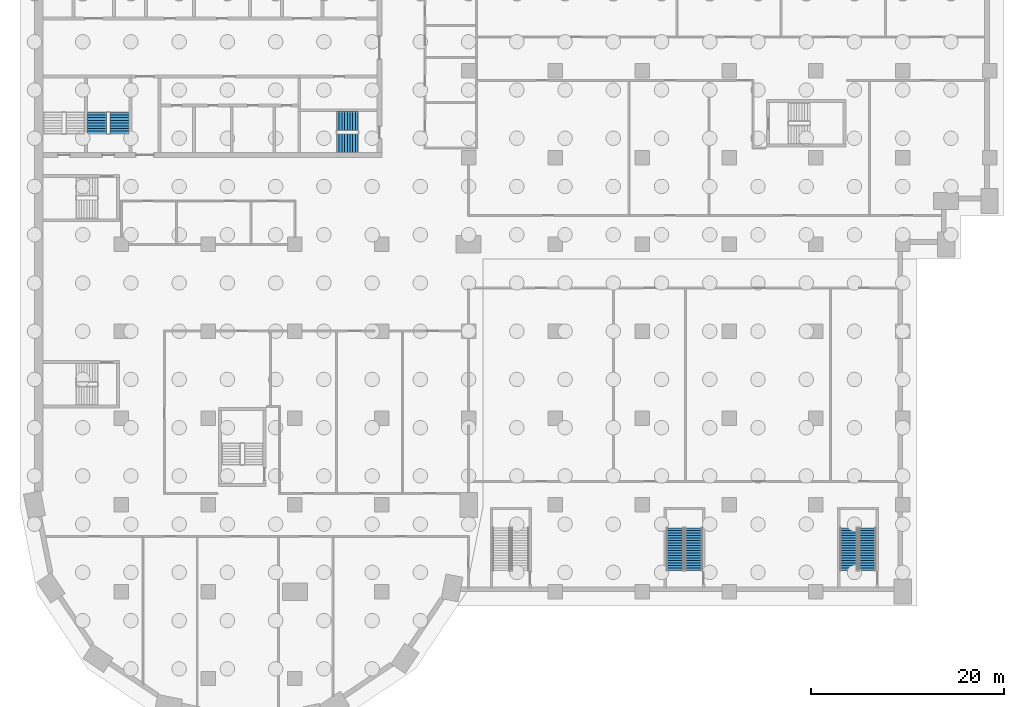
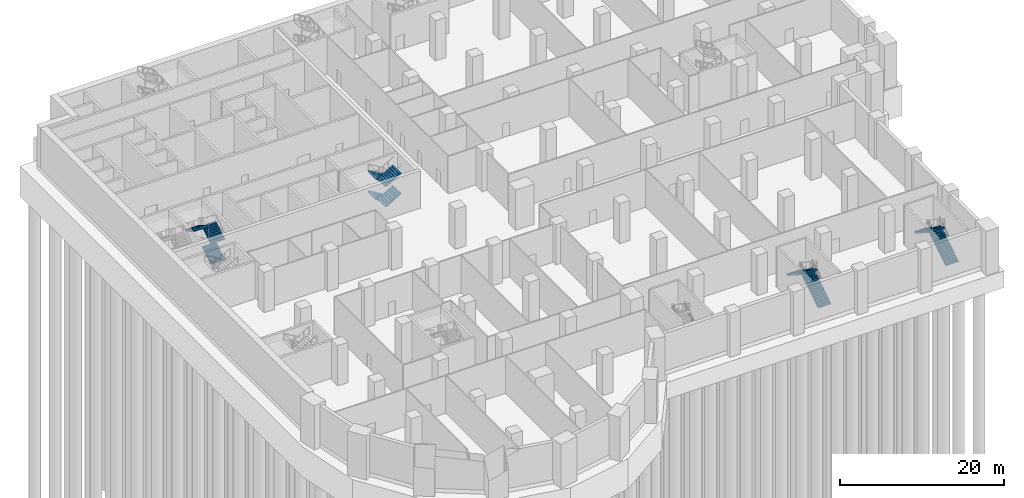
# One storey, part 13 of 25: 11 stair flights, 4 elements without a shape of their own.
"""IFC4 building model written with IfcOpenShell, lengths in metres."""

from ifc_helpers import new_model, si_unit, direction, frame, origin, place, context, subcontext, project, spatial, polyline, outline, extrude, material, type_object, element, aggregate, save


model = new_model("IFC4")

# Units and contexts
model_context = context("Model", 3, precision=1e-05, world=origin(), true_north=direction((0.0, 1.0)))
body_context = subcontext(model_context, "Body", "Model", "MODEL_VIEW")
ifc_project = project(units=[si_unit("LENGTHUNIT", "METRE"), si_unit("AREAUNIT", "SQUARE_METRE"), si_unit("VOLUMEUNIT", "CUBIC_METRE"), si_unit("PLANEANGLEUNIT", "RADIAN"), si_unit("MASSUNIT", "GRAM", prefix="KILO")], contexts=[model_context])

# Site, building, storey
site_placement = place(None, origin())
site = spatial("IfcSite", under=ifc_project, at=site_placement, CompositionType="ELEMENT")
building_placement = place(site_placement, origin())
building = spatial("IfcBuilding", under=site, at=building_placement, Name="Hunhe Ridgeline Campus", CompositionType="ELEMENT")
storey_placement = place(building_placement, frame((0.0, 0.0, -6.0)))
storey = spatial("IfcBuildingStorey", under=building, at=storey_placement, Name="B1", CompositionType="ELEMENT", Elevation=-6.0)

# Stair, stair flights
ifc_material = material(Name="Concrete C40", Category="concrete")
stair_type_1 = type_object("IfcStairType", Name="Podium exit stair 1800", PredefinedType="HALF_TURN_STAIR", material=ifc_material)
stair_1_placement = place(storey_placement, origin())
stair_1 = element("IfcStair", 1, at=stair_1_placement, inside=storey, type_object=stair_type_1, Name="B1 podium stair PS2", PredefinedType="HALF_TURN_STAIR")
stair_flight_type_1 = type_object("IfcStairFlightType", Name="Podium stair flight 1800", PredefinedType="STRAIGHT", material=ifc_material)
stair_flight_1_placement = place(storey_placement, frame((68.35009765625, 20.199951171875, 0.0), z_axis=(0.0, 0.0, 1.0), x_axis=(0.0, 1.0, 0.0)))
stair_flight_1 = element("IfcStairFlight", 2, at=stair_flight_1_placement, type_object=stair_flight_type_1, Name="PS2 flight 1", NumberOfRisers=18, NumberOfTreads=17, PredefinedType="STRAIGHT", RiserHeight=0.166666667, TreadLength=0.26, context=body_context, shape_type="SweptSolid", body=[
    extrude(outline(polyline([(0.0, 0.0), (0.0, 0.166748046875), (0.260009765625, 0.166748046875), (0.260009765625, 0.333251953125), (0.52001953125, 0.333251953125), (0.52001953125, 0.5), (0.780029296875, 0.5), (0.780029296875, 0.666748046875), (1.0400390625, 0.666748046875), (1.0400390625, 0.833251953125), (1.300048828125, 0.833251953125), (1.300048828125, 1.0), (1.56005859375, 1.0), (1.56005859375, 1.166748046875), (1.820068359375, 1.166748046875), (1.820068359375, 1.333251953125), (2.080078125, 1.333251953125), (2.080078125, 1.5), (2.340087890625, 1.5), (2.340087890625, 1.666748046875), (2.60009765625, 1.666748046875), (2.60009765625, 1.833251953125), (2.860107421875, 1.833251953125), (2.860107421875, 2.0), (3.1201171875, 2.0), (3.1201171875, 2.166748046875), (3.3798828125, 2.166748046875), (3.3798828125, 2.333251953125), (3.639892578125, 2.333251953125), (3.639892578125, 2.5), (3.89990234375, 2.5), (3.89990234375, 2.666748046875), (4.159912109375, 2.666748046875), (4.159912109375, 2.833251953125), (4.419921875, 2.833251953125), (4.419921875, 3.0), (4.419921875, 2.6552734375), (0.27783203125, 0.0), (0.0, 0.0)])), frame((0.0, 0.89990234375, 0.0), z_axis=(0.0, -1.0, 0.0), x_axis=(1.0, 0.0, 0.0)), (0.0, 0.0, 1.0), 1.800048828125),
])
stair_flight_2_placement = place(storey_placement, frame((66.39990234375, 24.6201171875, 3.0), z_axis=(0.0, 0.0, 1.0), x_axis=(0.0, -1.0, 0.0)))
stair_flight_2 = element("IfcStairFlight", 3, at=stair_flight_2_placement, type_object=stair_flight_type_1, Name="PS2 flight 2", NumberOfRisers=18, NumberOfTreads=17, PredefinedType="STRAIGHT", RiserHeight=0.166666667, TreadLength=0.26, context=body_context, shape_type="SweptSolid", body=[
    extrude(outline(polyline([(0.0, 0.0), (0.0, 0.166748046875), (0.260009765625, 0.166748046875), (0.260009765625, 0.333251953125), (0.52001953125, 0.333251953125), (0.52001953125, 0.5), (0.780029296875, 0.5), (0.780029296875, 0.666748046875), (1.0400390625, 0.666748046875), (1.0400390625, 0.833251953125), (1.300048828125, 0.833251953125), (1.300048828125, 1.0), (1.56005859375, 1.0), (1.56005859375, 1.166748046875), (1.820068359375, 1.166748046875), (1.820068359375, 1.333251953125), (2.080078125, 1.333251953125), (2.080078125, 1.5), (2.340087890625, 1.5), (2.340087890625, 1.666748046875), (2.60009765625, 1.666748046875), (2.60009765625, 1.833251953125), (2.860107421875, 1.833251953125), (2.860107421875, 2.0), (3.1201171875, 2.0), (3.1201171875, 2.166748046875), (3.3798828125, 2.166748046875), (3.3798828125, 2.333251953125), (3.639892578125, 2.333251953125), (3.639892578125, 2.5), (3.89990234375, 2.5), (3.89990234375, 2.666748046875), (4.159912109375, 2.666748046875), (4.159912109375, 2.833251953125), (4.419921875, 2.833251953125), (4.419921875, 3.0), (4.419921875, 2.6552734375), (0.27783203125, 0.0), (0.0, 0.0)])), frame((0.0, 0.89990234375, 0.0), z_axis=(0.0, -1.0, 0.0), x_axis=(1.0, 0.0, 0.0)), (0.0, 0.0, 1.0), 1.800048828125),
])
aggregate(stair_1, [stair_flight_1, stair_flight_2])

stair_2_placement = place(storey_placement, origin())
stair_2 = element("IfcStair", 4, at=stair_2_placement, inside=storey, type_object=stair_type_1, Name="B1 podium stair PS3", PredefinedType="HALF_TURN_STAIR")
stair_flight_3_placement = place(storey_placement, frame((86.35009765625, 20.199951171875, 0.0), z_axis=(0.0, 0.0, 1.0), x_axis=(0.0, 1.0, 0.0)))
stair_flight_3 = element("IfcStairFlight", 5, at=stair_flight_3_placement, type_object=stair_flight_type_1, Name="PS3 flight 1", NumberOfRisers=18, NumberOfTreads=17, PredefinedType="STRAIGHT", RiserHeight=0.166666667, TreadLength=0.26, context=body_context, shape_type="SweptSolid", body=[
    extrude(outline(polyline([(0.0, 0.0), (0.0, 0.166748046875), (0.260009765625, 0.166748046875), (0.260009765625, 0.333251953125), (0.52001953125, 0.333251953125), (0.52001953125, 0.5), (0.780029296875, 0.5), (0.780029296875, 0.666748046875), (1.0400390625, 0.666748046875), (1.0400390625, 0.833251953125), (1.300048828125, 0.833251953125), (1.300048828125, 1.0), (1.56005859375, 1.0), (1.56005859375, 1.166748046875), (1.820068359375, 1.166748046875), (1.820068359375, 1.333251953125), (2.080078125, 1.333251953125), (2.080078125, 1.5), (2.340087890625, 1.5), (2.340087890625, 1.666748046875), (2.60009765625, 1.666748046875), (2.60009765625, 1.833251953125), (2.860107421875, 1.833251953125), (2.860107421875, 2.0), (3.1201171875, 2.0), (3.1201171875, 2.166748046875), (3.3798828125, 2.166748046875), (3.3798828125, 2.333251953125), (3.639892578125, 2.333251953125), (3.639892578125, 2.5), (3.89990234375, 2.5), (3.89990234375, 2.666748046875), (4.159912109375, 2.666748046875), (4.159912109375, 2.833251953125), (4.419921875, 2.833251953125), (4.419921875, 3.0), (4.419921875, 2.6552734375), (0.27783203125, 0.0), (0.0, 0.0)])), frame((0.0, 0.89990234375, 0.0), z_axis=(0.0, -1.0, 0.0), x_axis=(1.0, 0.0, 0.0)), (0.0, 0.0, 1.0), 1.800048828125),
])
stair_flight_4_placement = place(storey_placement, frame((84.39990234375, 24.6201171875, 3.0), z_axis=(0.0, 0.0, 1.0), x_axis=(0.0, -1.0, 0.0)))
stair_flight_4 = element("IfcStairFlight", 6, at=stair_flight_4_placement, type_object=stair_flight_type_1, Name="PS3 flight 2", NumberOfRisers=18, NumberOfTreads=17, PredefinedType="STRAIGHT", RiserHeight=0.166666667, TreadLength=0.26, context=body_context, shape_type="SweptSolid", body=[
    extrude(outline(polyline([(0.0, 0.0), (0.0, 0.166748046875), (0.260009765625, 0.166748046875), (0.260009765625, 0.333251953125), (0.52001953125, 0.333251953125), (0.52001953125, 0.5), (0.780029296875, 0.5), (0.780029296875, 0.666748046875), (1.0400390625, 0.666748046875), (1.0400390625, 0.833251953125), (1.300048828125, 0.833251953125), (1.300048828125, 1.0), (1.56005859375, 1.0), (1.56005859375, 1.166748046875), (1.820068359375, 1.166748046875), (1.820068359375, 1.333251953125), (2.080078125, 1.333251953125), (2.080078125, 1.5), (2.340087890625, 1.5), (2.340087890625, 1.666748046875), (2.60009765625, 1.666748046875), (2.60009765625, 1.833251953125), (2.860107421875, 1.833251953125), (2.860107421875, 2.0), (3.1201171875, 2.0), (3.1201171875, 2.166748046875), (3.3798828125, 2.166748046875), (3.3798828125, 2.333251953125), (3.639892578125, 2.333251953125), (3.639892578125, 2.5), (3.89990234375, 2.5), (3.89990234375, 2.666748046875), (4.159912109375, 2.666748046875), (4.159912109375, 2.833251953125), (4.419921875, 2.833251953125), (4.419921875, 3.0), (4.419921875, 2.6552734375), (0.27783203125, 0.0), (0.0, 0.0)])), frame((0.0, 0.89990234375, 0.0), z_axis=(0.0, -1.0, 0.0), x_axis=(1.0, 0.0, 0.0)), (0.0, 0.0, 1.0), 1.800048828125),
])
aggregate(stair_2, [stair_flight_3, stair_flight_4])

stair_type_2 = type_object("IfcStairType", Name="Reinforced concrete dog-leg stair 1950 Concrete C40", PredefinedType="HALF_TURN_STAIR", material=ifc_material)
stair_3_placement = place(storey_placement, origin())
stair_3 = element("IfcStair", 7, at=stair_3_placement, inside=storey, type_object=stair_type_2, Name="B1 S2", PredefinedType="HALF_TURN_STAIR")
stair_flight_type_2 = type_object("IfcStairFlightType", Name="Reinforced concrete stair flight 1950 Concrete C40", PredefinedType="STRAIGHT", material=ifc_material)
stair_flight_5_placement = place(storey_placement, frame((33.550048828125, 66.77490234375, 0.0), z_axis=(0.0, 0.0, 1.0), x_axis=(-1.0, 0.0, 0.0)))
stair_flight_5 = element("IfcStairFlight", 8, at=stair_flight_5_placement, type_object=stair_flight_type_2, Name="ST2 flight 1", NumberOfRisers=9, NumberOfTreads=8, PredefinedType="STRAIGHT", RiserHeight=0.166666667, TreadLength=0.28, context=body_context, shape_type="SweptSolid", body=[
    extrude(outline(polyline([(0.0, 0.0), (0.0, 0.166748046875), (0.280029296875, 0.166748046875), (0.280029296875, 0.333251953125), (0.56005859375, 0.333251953125), (0.56005859375, 0.5), (0.840087890625, 0.5), (0.840087890625, 0.666748046875), (1.1201171875, 0.666748046875), (1.1201171875, 0.833251953125), (1.39990234375, 0.833251953125), (1.39990234375, 1.0), (1.679931640625, 1.0), (1.679931640625, 1.166748046875), (1.9599609375, 1.166748046875), (1.9599609375, 1.333251953125), (2.239990234375, 1.333251953125), (2.239990234375, 1.5), (2.239990234375, 1.158935546875), (0.29296875, 0.0), (0.0, 0.0)])), frame((0.0, 0.97509765625, 0.0), z_axis=(0.0, -1.0, 0.0), x_axis=(1.0, 0.0, 0.0)), (0.0, 0.0, 1.0), 1.949951171875),
    extrude(outline(polyline([(0.030029296875, 0.030029296875), (0.030029296875, 0.13671875), (0.31005859375, 0.13671875), (0.31005859375, 0.30322265625), (0.590087890625, 0.30322265625), (0.590087890625, 0.469970703125), (0.8701171875, 0.469970703125), (0.8701171875, 0.63671875), (1.14990234375, 0.63671875), (1.14990234375, 0.80322265625), (1.429931640625, 0.80322265625), (1.429931640625, 0.969970703125), (1.7099609375, 0.969970703125), (1.7099609375, 1.13671875), (1.989990234375, 1.13671875), (1.989990234375, 1.30322265625), (2.2099609375, 1.30322265625), (2.2099609375, 1.17578125), (0.284912109375, 0.030029296875), (0.030029296875, 0.030029296875)])), frame((0.0, -0.070068359375, 0.0), z_axis=(0.0, -1.0, 0.0), x_axis=(1.0, 0.0, 0.0)), (0.0, 0.0, 1.0), 0.019775390625),
    extrude(outline(polyline([(0.030029296875, 0.030029296875), (0.030029296875, 0.13671875), (0.31005859375, 0.13671875), (0.31005859375, 0.30322265625), (0.590087890625, 0.30322265625), (0.590087890625, 0.469970703125), (0.8701171875, 0.469970703125), (0.8701171875, 0.63671875), (1.14990234375, 0.63671875), (1.14990234375, 0.80322265625), (1.429931640625, 0.80322265625), (1.429931640625, 0.969970703125), (1.7099609375, 0.969970703125), (1.7099609375, 1.13671875), (1.989990234375, 1.13671875), (1.989990234375, 1.30322265625), (2.2099609375, 1.30322265625), (2.2099609375, 1.17578125), (0.284912109375, 0.030029296875), (0.030029296875, 0.030029296875)])), frame((0.0, 0.010009765625, 0.0), z_axis=(0.0, -1.0, 0.0), x_axis=(1.0, 0.0, 0.0)), (0.0, 0.0, 1.0), 0.019775390625),
    extrude(outline(polyline([(0.030029296875, 0.030029296875), (0.030029296875, 0.13671875), (0.31005859375, 0.13671875), (0.31005859375, 0.30322265625), (0.590087890625, 0.30322265625), (0.590087890625, 0.469970703125), (0.8701171875, 0.469970703125), (0.8701171875, 0.63671875), (1.14990234375, 0.63671875), (1.14990234375, 0.80322265625), (1.429931640625, 0.80322265625), (1.429931640625, 0.969970703125), (1.7099609375, 0.969970703125), (1.7099609375, 1.13671875), (1.989990234375, 1.13671875), (1.989990234375, 1.30322265625), (2.2099609375, 1.30322265625), (2.2099609375, 1.17578125), (0.284912109375, 0.030029296875), (0.030029296875, 0.030029296875)])), frame((0.0, 0.090087890625, 0.0), z_axis=(0.0, -1.0, 0.0), x_axis=(1.0, 0.0, 0.0)), (0.0, 0.0, 1.0), 0.019775390625),
])
stair_flight_6_placement = place(storey_placement, frame((31.31005859375, 64.47509765625, 1.5), z_axis=(0.0, 0.0, 1.0), x_axis=(1.0, 0.0, 0.0)))
stair_flight_6 = element("IfcStairFlight", 9, at=stair_flight_6_placement, type_object=stair_flight_type_2, Name="ST2 flight 2", NumberOfRisers=9, NumberOfTreads=8, PredefinedType="STRAIGHT", RiserHeight=0.166666667, TreadLength=0.28, context=body_context, shape_type="SweptSolid", body=[
    extrude(outline(polyline([(0.0, 0.0), (0.0, 0.166748046875), (0.280029296875, 0.166748046875), (0.280029296875, 0.333251953125), (0.56005859375, 0.333251953125), (0.56005859375, 0.5), (0.840087890625, 0.5), (0.840087890625, 0.666748046875), (1.1201171875, 0.666748046875), (1.1201171875, 0.833251953125), (1.39990234375, 0.833251953125), (1.39990234375, 1.0), (1.679931640625, 1.0), (1.679931640625, 1.166748046875), (1.9599609375, 1.166748046875), (1.9599609375, 1.333251953125), (2.239990234375, 1.333251953125), (2.239990234375, 1.5), (2.239990234375, 1.158935546875), (0.29296875, 0.0), (0.0, 0.0)])), frame((0.0, 0.97509765625, 0.0), z_axis=(0.0, -1.0, 0.0), x_axis=(1.0, 0.0, 0.0)), (0.0, 0.0, 1.0), 1.949951171875),
    extrude(outline(polyline([(0.030029296875, 0.030029296875), (0.030029296875, 0.13671875), (0.31005859375, 0.13671875), (0.31005859375, 0.30322265625), (0.590087890625, 0.30322265625), (0.590087890625, 0.469970703125), (0.8701171875, 0.469970703125), (0.8701171875, 0.63671875), (1.14990234375, 0.63671875), (1.14990234375, 0.80322265625), (1.429931640625, 0.80322265625), (1.429931640625, 0.969970703125), (1.7099609375, 0.969970703125), (1.7099609375, 1.13671875), (1.989990234375, 1.13671875), (1.989990234375, 1.30322265625), (2.2099609375, 1.30322265625), (2.2099609375, 1.17578125), (0.284912109375, 0.030029296875), (0.030029296875, 0.030029296875)])), frame((0.0, -0.070068359375, 0.0), z_axis=(0.0, -1.0, 0.0), x_axis=(1.0, 0.0, 0.0)), (0.0, 0.0, 1.0), 0.019775390625),
    extrude(outline(polyline([(0.030029296875, 0.030029296875), (0.030029296875, 0.13671875), (0.31005859375, 0.13671875), (0.31005859375, 0.30322265625), (0.590087890625, 0.30322265625), (0.590087890625, 0.469970703125), (0.8701171875, 0.469970703125), (0.8701171875, 0.63671875), (1.14990234375, 0.63671875), (1.14990234375, 0.80322265625), (1.429931640625, 0.80322265625), (1.429931640625, 0.969970703125), (1.7099609375, 0.969970703125), (1.7099609375, 1.13671875), (1.989990234375, 1.13671875), (1.989990234375, 1.30322265625), (2.2099609375, 1.30322265625), (2.2099609375, 1.17578125), (0.284912109375, 0.030029296875), (0.030029296875, 0.030029296875)])), frame((0.0, 0.010009765625, 0.0), z_axis=(0.0, -1.0, 0.0), x_axis=(1.0, 0.0, 0.0)), (0.0, 0.0, 1.0), 0.019775390625),
    extrude(outline(polyline([(0.030029296875, 0.030029296875), (0.030029296875, 0.13671875), (0.31005859375, 0.13671875), (0.31005859375, 0.30322265625), (0.590087890625, 0.30322265625), (0.590087890625, 0.469970703125), (0.8701171875, 0.469970703125), (0.8701171875, 0.63671875), (1.14990234375, 0.63671875), (1.14990234375, 0.80322265625), (1.429931640625, 0.80322265625), (1.429931640625, 0.969970703125), (1.7099609375, 0.969970703125), (1.7099609375, 1.13671875), (1.989990234375, 1.13671875), (1.989990234375, 1.30322265625), (2.2099609375, 1.30322265625), (2.2099609375, 1.17578125), (0.284912109375, 0.030029296875), (0.030029296875, 0.030029296875)])), frame((0.0, 0.090087890625, 0.0), z_axis=(0.0, -1.0, 0.0), x_axis=(1.0, 0.0, 0.0)), (0.0, 0.0, 1.0), 0.019775390625),
])
stair_flight_7_placement = place(storey_placement, frame((33.550048828125, 66.77490234375, 3.0), z_axis=(0.0, 0.0, 1.0), x_axis=(-1.0, 0.0, 0.0)))
stair_flight_7 = element("IfcStairFlight", 10, at=stair_flight_7_placement, type_object=stair_flight_type_2, Name="ST2 flight 3", NumberOfRisers=9, NumberOfTreads=8, PredefinedType="STRAIGHT", RiserHeight=0.166666667, TreadLength=0.28, context=body_context, shape_type="SweptSolid", body=[
    extrude(outline(polyline([(0.0, 0.0), (0.0, 0.166748046875), (0.280029296875, 0.166748046875), (0.280029296875, 0.333251953125), (0.56005859375, 0.333251953125), (0.56005859375, 0.5), (0.840087890625, 0.5), (0.840087890625, 0.666748046875), (1.1201171875, 0.666748046875), (1.1201171875, 0.833251953125), (1.39990234375, 0.833251953125), (1.39990234375, 1.0), (1.679931640625, 1.0), (1.679931640625, 1.166748046875), (1.9599609375, 1.166748046875), (1.9599609375, 1.333251953125), (2.239990234375, 1.333251953125), (2.239990234375, 1.5), (2.239990234375, 1.158935546875), (0.29296875, 0.0), (0.0, 0.0)])), frame((0.0, 0.97509765625, 0.0), z_axis=(0.0, -1.0, 0.0), x_axis=(1.0, 0.0, 0.0)), (0.0, 0.0, 1.0), 1.949951171875),
    extrude(outline(polyline([(0.030029296875, 0.030029296875), (0.030029296875, 0.13671875), (0.31005859375, 0.13671875), (0.31005859375, 0.30322265625), (0.590087890625, 0.30322265625), (0.590087890625, 0.469970703125), (0.8701171875, 0.469970703125), (0.8701171875, 0.63671875), (1.14990234375, 0.63671875), (1.14990234375, 0.80322265625), (1.429931640625, 0.80322265625), (1.429931640625, 0.969970703125), (1.7099609375, 0.969970703125), (1.7099609375, 1.13671875), (1.989990234375, 1.13671875), (1.989990234375, 1.30322265625), (2.2099609375, 1.30322265625), (2.2099609375, 1.17578125), (0.284912109375, 0.030029296875), (0.030029296875, 0.030029296875)])), frame((0.0, -0.070068359375, 0.0), z_axis=(0.0, -1.0, 0.0), x_axis=(1.0, 0.0, 0.0)), (0.0, 0.0, 1.0), 0.019775390625),
    extrude(outline(polyline([(0.030029296875, 0.030029296875), (0.030029296875, 0.13671875), (0.31005859375, 0.13671875), (0.31005859375, 0.30322265625), (0.590087890625, 0.30322265625), (0.590087890625, 0.469970703125), (0.8701171875, 0.469970703125), (0.8701171875, 0.63671875), (1.14990234375, 0.63671875), (1.14990234375, 0.80322265625), (1.429931640625, 0.80322265625), (1.429931640625, 0.969970703125), (1.7099609375, 0.969970703125), (1.7099609375, 1.13671875), (1.989990234375, 1.13671875), (1.989990234375, 1.30322265625), (2.2099609375, 1.30322265625), (2.2099609375, 1.17578125), (0.284912109375, 0.030029296875), (0.030029296875, 0.030029296875)])), frame((0.0, 0.010009765625, 0.0), z_axis=(0.0, -1.0, 0.0), x_axis=(1.0, 0.0, 0.0)), (0.0, 0.0, 1.0), 0.019775390625),
    extrude(outline(polyline([(0.030029296875, 0.030029296875), (0.030029296875, 0.13671875), (0.31005859375, 0.13671875), (0.31005859375, 0.30322265625), (0.590087890625, 0.30322265625), (0.590087890625, 0.469970703125), (0.8701171875, 0.469970703125), (0.8701171875, 0.63671875), (1.14990234375, 0.63671875), (1.14990234375, 0.80322265625), (1.429931640625, 0.80322265625), (1.429931640625, 0.969970703125), (1.7099609375, 0.969970703125), (1.7099609375, 1.13671875), (1.989990234375, 1.13671875), (1.989990234375, 1.30322265625), (2.2099609375, 1.30322265625), (2.2099609375, 1.17578125), (0.284912109375, 0.030029296875), (0.030029296875, 0.030029296875)])), frame((0.0, 0.090087890625, 0.0), z_axis=(0.0, -1.0, 0.0), x_axis=(1.0, 0.0, 0.0)), (0.0, 0.0, 1.0), 0.019775390625),
])
stair_flight_8_placement = place(storey_placement, frame((31.31005859375, 64.47509765625, 4.5), z_axis=(0.0, 0.0, 1.0), x_axis=(1.0, 0.0, 0.0)))
stair_flight_8 = element("IfcStairFlight", 11, at=stair_flight_8_placement, type_object=stair_flight_type_2, Name="ST2 flight 4", NumberOfRisers=9, NumberOfTreads=8, PredefinedType="STRAIGHT", RiserHeight=0.166666667, TreadLength=0.28, context=body_context, shape_type="SweptSolid", body=[
    extrude(outline(polyline([(0.0, 0.0), (0.0, 0.166748046875), (0.280029296875, 0.166748046875), (0.280029296875, 0.333251953125), (0.56005859375, 0.333251953125), (0.56005859375, 0.5), (0.840087890625, 0.5), (0.840087890625, 0.666748046875), (1.1201171875, 0.666748046875), (1.1201171875, 0.833251953125), (1.39990234375, 0.833251953125), (1.39990234375, 1.0), (1.679931640625, 1.0), (1.679931640625, 1.166748046875), (1.9599609375, 1.166748046875), (1.9599609375, 1.333251953125), (2.239990234375, 1.333251953125), (2.239990234375, 1.5), (2.239990234375, 1.158935546875), (0.29296875, 0.0), (0.0, 0.0)])), frame((0.0, 0.97509765625, 0.0), z_axis=(0.0, -1.0, 0.0), x_axis=(1.0, 0.0, 0.0)), (0.0, 0.0, 1.0), 1.949951171875),
    extrude(outline(polyline([(0.030029296875, 0.030029296875), (0.030029296875, 0.13671875), (0.31005859375, 0.13671875), (0.31005859375, 0.30322265625), (0.590087890625, 0.30322265625), (0.590087890625, 0.469970703125), (0.8701171875, 0.469970703125), (0.8701171875, 0.63671875), (1.14990234375, 0.63671875), (1.14990234375, 0.80322265625), (1.429931640625, 0.80322265625), (1.429931640625, 0.969970703125), (1.7099609375, 0.969970703125), (1.7099609375, 1.13671875), (1.989990234375, 1.13671875), (1.989990234375, 1.30322265625), (2.2099609375, 1.30322265625), (2.2099609375, 1.17578125), (0.284912109375, 0.030029296875), (0.030029296875, 0.030029296875)])), frame((0.0, -0.070068359375, 0.0), z_axis=(0.0, -1.0, 0.0), x_axis=(1.0, 0.0, 0.0)), (0.0, 0.0, 1.0), 0.019775390625),
    extrude(outline(polyline([(0.030029296875, 0.030029296875), (0.030029296875, 0.13671875), (0.31005859375, 0.13671875), (0.31005859375, 0.30322265625), (0.590087890625, 0.30322265625), (0.590087890625, 0.469970703125), (0.8701171875, 0.469970703125), (0.8701171875, 0.63671875), (1.14990234375, 0.63671875), (1.14990234375, 0.80322265625), (1.429931640625, 0.80322265625), (1.429931640625, 0.969970703125), (1.7099609375, 0.969970703125), (1.7099609375, 1.13671875), (1.989990234375, 1.13671875), (1.989990234375, 1.30322265625), (2.2099609375, 1.30322265625), (2.2099609375, 1.17578125), (0.284912109375, 0.030029296875), (0.030029296875, 0.030029296875)])), frame((0.0, 0.010009765625, 0.0), z_axis=(0.0, -1.0, 0.0), x_axis=(1.0, 0.0, 0.0)), (0.0, 0.0, 1.0), 0.019775390625),
    extrude(outline(polyline([(0.030029296875, 0.030029296875), (0.030029296875, 0.13671875), (0.31005859375, 0.13671875), (0.31005859375, 0.30322265625), (0.590087890625, 0.30322265625), (0.590087890625, 0.469970703125), (0.8701171875, 0.469970703125), (0.8701171875, 0.63671875), (1.14990234375, 0.63671875), (1.14990234375, 0.80322265625), (1.429931640625, 0.80322265625), (1.429931640625, 0.969970703125), (1.7099609375, 0.969970703125), (1.7099609375, 1.13671875), (1.989990234375, 1.13671875), (1.989990234375, 1.30322265625), (2.2099609375, 1.30322265625), (2.2099609375, 1.17578125), (0.284912109375, 0.030029296875), (0.030029296875, 0.030029296875)])), frame((0.0, 0.090087890625, 0.0), z_axis=(0.0, -1.0, 0.0), x_axis=(1.0, 0.0, 0.0)), (0.0, 0.0, 1.0), 0.019775390625),
])
aggregate(stair_3, [stair_flight_5, stair_flight_6, stair_flight_7, stair_flight_8])

stair_4_placement = place(storey_placement, origin())
stair_4 = element("IfcStair", 12, at=stair_4_placement, inside=storey, type_object=stair_type_2, Name="B1 S4", PredefinedType="HALF_TURN_STAIR")
stair_flight_9_placement = place(storey_placement, frame((8.824951171875, 65.449951171875, 0.0), z_axis=(0.0, 0.0, 1.0), x_axis=(0.0, 1.0, 0.0)))
stair_flight_9 = element("IfcStairFlight", 13, at=stair_flight_9_placement, type_object=stair_flight_type_2, Name="ST4 flight 1", NumberOfRisers=9, NumberOfTreads=8, PredefinedType="STRAIGHT", RiserHeight=0.166666667, TreadLength=0.28, context=body_context, shape_type="SweptSolid", body=[
    extrude(outline(polyline([(0.0, 0.0), (0.0, 0.166748046875), (0.280029296875, 0.166748046875), (0.280029296875, 0.333251953125), (0.56005859375, 0.333251953125), (0.56005859375, 0.5), (0.840087890625, 0.5), (0.840087890625, 0.666748046875), (1.1201171875, 0.666748046875), (1.1201171875, 0.833251953125), (1.39990234375, 0.833251953125), (1.39990234375, 1.0), (1.679931640625, 1.0), (1.679931640625, 1.166748046875), (1.9599609375, 1.166748046875), (1.9599609375, 1.333251953125), (2.239990234375, 1.333251953125), (2.239990234375, 1.5), (2.239990234375, 1.158935546875), (0.29296875, 0.0), (0.0, 0.0)])), frame((0.0, 0.97509765625, 0.0), z_axis=(0.0, -1.0, 0.0), x_axis=(1.0, 0.0, 0.0)), (0.0, 0.0, 1.0), 1.949951171875),
    extrude(outline(polyline([(0.030029296875, 0.030029296875), (0.030029296875, 0.13671875), (0.31005859375, 0.13671875), (0.31005859375, 0.30322265625), (0.590087890625, 0.30322265625), (0.590087890625, 0.469970703125), (0.8701171875, 0.469970703125), (0.8701171875, 0.63671875), (1.14990234375, 0.63671875), (1.14990234375, 0.80322265625), (1.429931640625, 0.80322265625), (1.429931640625, 0.969970703125), (1.7099609375, 0.969970703125), (1.7099609375, 1.13671875), (1.989990234375, 1.13671875), (1.989990234375, 1.30322265625), (2.2099609375, 1.30322265625), (2.2099609375, 1.17578125), (0.284912109375, 0.030029296875), (0.030029296875, 0.030029296875)])), frame((0.0, -0.070068359375, 0.0), z_axis=(0.0, -1.0, 0.0), x_axis=(1.0, 0.0, 0.0)), (0.0, 0.0, 1.0), 0.019775390625),
    extrude(outline(polyline([(0.030029296875, 0.030029296875), (0.030029296875, 0.13671875), (0.31005859375, 0.13671875), (0.31005859375, 0.30322265625), (0.590087890625, 0.30322265625), (0.590087890625, 0.469970703125), (0.8701171875, 0.469970703125), (0.8701171875, 0.63671875), (1.14990234375, 0.63671875), (1.14990234375, 0.80322265625), (1.429931640625, 0.80322265625), (1.429931640625, 0.969970703125), (1.7099609375, 0.969970703125), (1.7099609375, 1.13671875), (1.989990234375, 1.13671875), (1.989990234375, 1.30322265625), (2.2099609375, 1.30322265625), (2.2099609375, 1.17578125), (0.284912109375, 0.030029296875), (0.030029296875, 0.030029296875)])), frame((0.0, 0.010009765625, 0.0), z_axis=(0.0, -1.0, 0.0), x_axis=(1.0, 0.0, 0.0)), (0.0, 0.0, 1.0), 0.019775390625),
    extrude(outline(polyline([(0.030029296875, 0.030029296875), (0.030029296875, 0.13671875), (0.31005859375, 0.13671875), (0.31005859375, 0.30322265625), (0.590087890625, 0.30322265625), (0.590087890625, 0.469970703125), (0.8701171875, 0.469970703125), (0.8701171875, 0.63671875), (1.14990234375, 0.63671875), (1.14990234375, 0.80322265625), (1.429931640625, 0.80322265625), (1.429931640625, 0.969970703125), (1.7099609375, 0.969970703125), (1.7099609375, 1.13671875), (1.989990234375, 1.13671875), (1.989990234375, 1.30322265625), (2.2099609375, 1.30322265625), (2.2099609375, 1.17578125), (0.284912109375, 0.030029296875), (0.030029296875, 0.030029296875)])), frame((0.0, 0.090087890625, 0.0), z_axis=(0.0, -1.0, 0.0), x_axis=(1.0, 0.0, 0.0)), (0.0, 0.0, 1.0), 0.019775390625),
])
stair_flight_10_placement = place(storey_placement, frame((8.824951171875, 65.449951171875, 3.0), z_axis=(0.0, 0.0, 1.0), x_axis=(0.0, 1.0, 0.0)))
stair_flight_10 = element("IfcStairFlight", 14, at=stair_flight_10_placement, type_object=stair_flight_type_2, Name="ST4 flight 3", NumberOfRisers=9, NumberOfTreads=8, PredefinedType="STRAIGHT", RiserHeight=0.166666667, TreadLength=0.28, context=body_context, shape_type="SweptSolid", body=[
    extrude(outline(polyline([(0.0, 0.0), (0.0, 0.166748046875), (0.280029296875, 0.166748046875), (0.280029296875, 0.333251953125), (0.56005859375, 0.333251953125), (0.56005859375, 0.5), (0.840087890625, 0.5), (0.840087890625, 0.666748046875), (1.1201171875, 0.666748046875), (1.1201171875, 0.833251953125), (1.39990234375, 0.833251953125), (1.39990234375, 1.0), (1.679931640625, 1.0), (1.679931640625, 1.166748046875), (1.9599609375, 1.166748046875), (1.9599609375, 1.333251953125), (2.239990234375, 1.333251953125), (2.239990234375, 1.5), (2.239990234375, 1.158935546875), (0.29296875, 0.0), (0.0, 0.0)])), frame((0.0, 0.97509765625, 0.0), z_axis=(0.0, -1.0, 0.0), x_axis=(1.0, 0.0, 0.0)), (0.0, 0.0, 1.0), 1.949951171875),
    extrude(outline(polyline([(0.030029296875, 0.030029296875), (0.030029296875, 0.13671875), (0.31005859375, 0.13671875), (0.31005859375, 0.30322265625), (0.590087890625, 0.30322265625), (0.590087890625, 0.469970703125), (0.8701171875, 0.469970703125), (0.8701171875, 0.63671875), (1.14990234375, 0.63671875), (1.14990234375, 0.80322265625), (1.429931640625, 0.80322265625), (1.429931640625, 0.969970703125), (1.7099609375, 0.969970703125), (1.7099609375, 1.13671875), (1.989990234375, 1.13671875), (1.989990234375, 1.30322265625), (2.2099609375, 1.30322265625), (2.2099609375, 1.17578125), (0.284912109375, 0.030029296875), (0.030029296875, 0.030029296875)])), frame((0.0, -0.070068359375, 0.0), z_axis=(0.0, -1.0, 0.0), x_axis=(1.0, 0.0, 0.0)), (0.0, 0.0, 1.0), 0.019775390625),
    extrude(outline(polyline([(0.030029296875, 0.030029296875), (0.030029296875, 0.13671875), (0.31005859375, 0.13671875), (0.31005859375, 0.30322265625), (0.590087890625, 0.30322265625), (0.590087890625, 0.469970703125), (0.8701171875, 0.469970703125), (0.8701171875, 0.63671875), (1.14990234375, 0.63671875), (1.14990234375, 0.80322265625), (1.429931640625, 0.80322265625), (1.429931640625, 0.969970703125), (1.7099609375, 0.969970703125), (1.7099609375, 1.13671875), (1.989990234375, 1.13671875), (1.989990234375, 1.30322265625), (2.2099609375, 1.30322265625), (2.2099609375, 1.17578125), (0.284912109375, 0.030029296875), (0.030029296875, 0.030029296875)])), frame((0.0, 0.010009765625, 0.0), z_axis=(0.0, -1.0, 0.0), x_axis=(1.0, 0.0, 0.0)), (0.0, 0.0, 1.0), 0.019775390625),
    extrude(outline(polyline([(0.030029296875, 0.030029296875), (0.030029296875, 0.13671875), (0.31005859375, 0.13671875), (0.31005859375, 0.30322265625), (0.590087890625, 0.30322265625), (0.590087890625, 0.469970703125), (0.8701171875, 0.469970703125), (0.8701171875, 0.63671875), (1.14990234375, 0.63671875), (1.14990234375, 0.80322265625), (1.429931640625, 0.80322265625), (1.429931640625, 0.969970703125), (1.7099609375, 0.969970703125), (1.7099609375, 1.13671875), (1.989990234375, 1.13671875), (1.989990234375, 1.30322265625), (2.2099609375, 1.30322265625), (2.2099609375, 1.17578125), (0.284912109375, 0.030029296875), (0.030029296875, 0.030029296875)])), frame((0.0, 0.090087890625, 0.0), z_axis=(0.0, -1.0, 0.0), x_axis=(1.0, 0.0, 0.0)), (0.0, 0.0, 1.0), 0.019775390625),
])
stair_flight_11_placement = place(storey_placement, frame((6.47509765625, 67.68994140625, 4.5), z_axis=(0.0, 0.0, 1.0), x_axis=(0.0, -1.0, 0.0)))
stair_flight_11 = element("IfcStairFlight", 15, at=stair_flight_11_placement, type_object=stair_flight_type_2, Name="ST4 flight 4", NumberOfRisers=9, NumberOfTreads=8, PredefinedType="STRAIGHT", RiserHeight=0.166666667, TreadLength=0.28, context=body_context, shape_type="SweptSolid", body=[
    extrude(outline(polyline([(0.0, 0.0), (0.0, 0.166748046875), (0.280029296875, 0.166748046875), (0.280029296875, 0.333251953125), (0.56005859375, 0.333251953125), (0.56005859375, 0.5), (0.840087890625, 0.5), (0.840087890625, 0.666748046875), (1.1201171875, 0.666748046875), (1.1201171875, 0.833251953125), (1.39990234375, 0.833251953125), (1.39990234375, 1.0), (1.679931640625, 1.0), (1.679931640625, 1.166748046875), (1.9599609375, 1.166748046875), (1.9599609375, 1.333251953125), (2.239990234375, 1.333251953125), (2.239990234375, 1.5), (2.239990234375, 1.158935546875), (0.29296875, 0.0), (0.0, 0.0)])), frame((0.0, 0.97509765625, 0.0), z_axis=(0.0, -1.0, 0.0), x_axis=(1.0, 0.0, 0.0)), (0.0, 0.0, 1.0), 1.949951171875),
    extrude(outline(polyline([(0.030029296875, 0.030029296875), (0.030029296875, 0.13671875), (0.31005859375, 0.13671875), (0.31005859375, 0.30322265625), (0.590087890625, 0.30322265625), (0.590087890625, 0.469970703125), (0.8701171875, 0.469970703125), (0.8701171875, 0.63671875), (1.14990234375, 0.63671875), (1.14990234375, 0.80322265625), (1.429931640625, 0.80322265625), (1.429931640625, 0.969970703125), (1.7099609375, 0.969970703125), (1.7099609375, 1.13671875), (1.989990234375, 1.13671875), (1.989990234375, 1.30322265625), (2.2099609375, 1.30322265625), (2.2099609375, 1.17578125), (0.284912109375, 0.030029296875), (0.030029296875, 0.030029296875)])), frame((0.0, -0.070068359375, 0.0), z_axis=(0.0, -1.0, 0.0), x_axis=(1.0, 0.0, 0.0)), (0.0, 0.0, 1.0), 0.019775390625),
    extrude(outline(polyline([(0.030029296875, 0.030029296875), (0.030029296875, 0.13671875), (0.31005859375, 0.13671875), (0.31005859375, 0.30322265625), (0.590087890625, 0.30322265625), (0.590087890625, 0.469970703125), (0.8701171875, 0.469970703125), (0.8701171875, 0.63671875), (1.14990234375, 0.63671875), (1.14990234375, 0.80322265625), (1.429931640625, 0.80322265625), (1.429931640625, 0.969970703125), (1.7099609375, 0.969970703125), (1.7099609375, 1.13671875), (1.989990234375, 1.13671875), (1.989990234375, 1.30322265625), (2.2099609375, 1.30322265625), (2.2099609375, 1.17578125), (0.284912109375, 0.030029296875), (0.030029296875, 0.030029296875)])), frame((0.0, 0.010009765625, 0.0), z_axis=(0.0, -1.0, 0.0), x_axis=(1.0, 0.0, 0.0)), (0.0, 0.0, 1.0), 0.019775390625),
    extrude(outline(polyline([(0.030029296875, 0.030029296875), (0.030029296875, 0.13671875), (0.31005859375, 0.13671875), (0.31005859375, 0.30322265625), (0.590087890625, 0.30322265625), (0.590087890625, 0.469970703125), (0.8701171875, 0.469970703125), (0.8701171875, 0.63671875), (1.14990234375, 0.63671875), (1.14990234375, 0.80322265625), (1.429931640625, 0.80322265625), (1.429931640625, 0.969970703125), (1.7099609375, 0.969970703125), (1.7099609375, 1.13671875), (1.989990234375, 1.13671875), (1.989990234375, 1.30322265625), (2.2099609375, 1.30322265625), (2.2099609375, 1.17578125), (0.284912109375, 0.030029296875), (0.030029296875, 0.030029296875)])), frame((0.0, 0.090087890625, 0.0), z_axis=(0.0, -1.0, 0.0), x_axis=(1.0, 0.0, 0.0)), (0.0, 0.0, 1.0), 0.019775390625),
])
aggregate(stair_4, [stair_flight_9, stair_flight_10, stair_flight_11])

save(model, "model.ifc")
